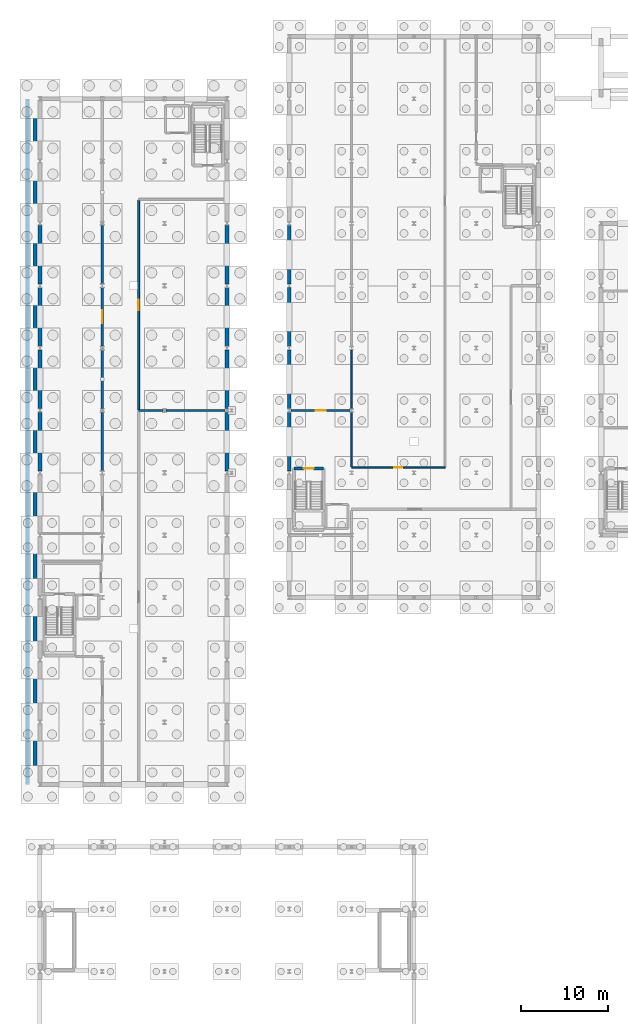
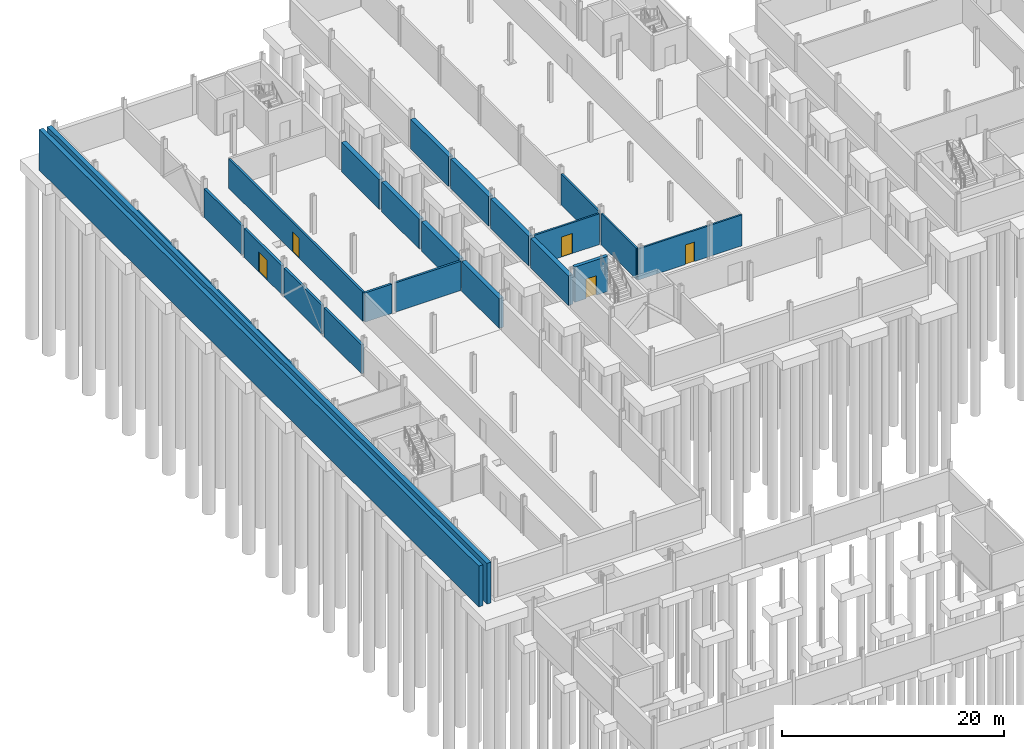
# One storey, part 37 of 50: 26 walls, 5 doors, 5 openings.
"""IFC4 building model written with IfcOpenShell, lengths in metres."""

from ifc_helpers import new_model, si_unit, direction, frame, frame_2d, origin, place, context, subcontext, project, spatial, rectangle, extrude, material, layer, layer_set, type_object, element, fill, save


model = new_model("IFC4")

# Units and contexts
model_context = context("Model", 3, precision=1e-05, world=origin(), true_north=direction((0.0, 1.0)))
body_context = subcontext(model_context, "Body", "Model", "MODEL_VIEW")
ifc_project = project(units=[si_unit("LENGTHUNIT", "METRE"), si_unit("AREAUNIT", "SQUARE_METRE"), si_unit("VOLUMEUNIT", "CUBIC_METRE"), si_unit("PLANEANGLEUNIT", "RADIAN"), si_unit("MASSUNIT", "GRAM", prefix="KILO")], contexts=[model_context])

# Site, building, storey
site_placement = place(None, origin())
site = spatial("IfcSite", under=ifc_project, at=site_placement, CompositionType="ELEMENT")
building_placement = place(site_placement, origin())
building = spatial("IfcBuilding", under=site, at=building_placement, Name="Narikvali Park Central Library", CompositionType="ELEMENT")
storey_placement = place(building_placement, frame((0.0, 0.0, -4.199951171875)))
storey = spatial("IfcBuildingStorey", under=building, at=storey_placement, Name="B1", CompositionType="ELEMENT", Elevation=-4.199951171875)

# Walls
ifc_material_1 = material(Name="Reinforced Masonry Blockwork C30/37", Category="masonry")
ifc_layer_1 = layer(ifc_material_1, 0.219970703125, Name="Reinforced Masonry Blockwork C30/37")
ifc_layer_set_1 = layer_set([ifc_layer_1], Name="Reinforced Masonry Blockwork C30/37")
wall_type_1 = type_object("IfcWallType", Name="Archive Fire-Resisting Partition 220", PredefinedType="SOLIDWALL", material=ifc_layer_set_1)
wall_1_placement = place(storey_placement, frame((11.39990234375, 72.0, 0.0), z_axis=(0.0, 0.0, 1.0), x_axis=(1.0, 0.0, 0.0)))
element("IfcWall", 1, at=wall_1_placement, inside=storey, type_object=wall_type_1, Name="High-Density Compact Mobile Shelving Repository Partition S", PredefinedType="SOLIDWALL", context=body_context, shape_type="SweptSolid", body=[
    extrude(rectangle(XDim=2.7900390625, YDim=0.219970703125, at=frame_2d((1.39501953125, 0.0))), origin(), (0.0, 0.0, 1.0), 3.21484375),
])
wall_2_placement = place(storey_placement, frame((14.610107421875, 72.0, 0.0), z_axis=(0.0, 0.0, 1.0), x_axis=(1.0, 0.0, 0.0)))
element("IfcWall", 2, at=wall_2_placement, inside=storey, type_object=wall_type_1, Name="High-Density Compact Mobile Shelving Repository Partition S", PredefinedType="SOLIDWALL", context=body_context, shape_type="SweptSolid", body=[
    extrude(rectangle(XDim=6.764892578125, YDim=0.219970703125, at=frame_2d((3.38232421875, 0.0))), origin(), (0.0, 0.0, 1.0), 3.21484375),
])

# Wall, opening, door
wall_3_placement = place(storey_placement, frame((11.39990234375, 72.112060546875, 0.0), z_axis=(0.0, 0.0, 1.0), x_axis=(0.0, 1.0, 0.0)))
wall_3 = element("IfcWall", 3, at=wall_3_placement, inside=storey, type_object=wall_type_1, Name="High-Density Compact Mobile Shelving Repository Partition W", PredefinedType="SOLIDWALL", context=body_context, shape_type="SweptSolid", body=[
    extrude(rectangle(XDim=24.176025390625, YDim=0.219970703125, at=frame_2d((12.087890625, 0.0))), origin(), (0.0, 0.0, 1.0), 3.21484375),
])
opening_1_placement = place(wall_3_placement, frame((11.488037109375, 0.0, 0.0)))
opening_1 = element("IfcOpeningElement", 4, at=opening_1_placement, cuts=wall_3, Name="Opening ID-0106", PredefinedType="OPENING", context=body_context, shape_type="SweptSolid", body=[
    extrude(rectangle(XDim=1.199951171875, YDim=2.199951171875, at=frame_2d((0.60009765625, 1.10009765625))), frame((0.0, 0.1220703125, 0.0), z_axis=(0.0, -1.0, 0.0), x_axis=(1.0, 0.0, 0.0)), (0.0, 0.0, 1.0), 0.243896484375),
])
ifc_material_2 = material(Name="Insulated Steel S355 Vault Leaf", Category="steel")
door_type_1 = type_object("IfcDoorType", Name="Archive Vault Heavy Fire Door 1200x2200", OperationType="SINGLE_SWING_LEFT", PredefinedType="DOOR", material=ifc_material_2)
door_1_placement = place(opening_1_placement, frame((1.199951171875, 0.0, 0.0), z_axis=(0.0, 0.0, 1.0), x_axis=(-1.0, 0.0, 0.0)))
door_1 = element("IfcDoor", 5, at=door_1_placement, inside=storey, type_object=door_type_1, Name="High-Density Compact Mobile Shelving Repository Door ID-0106", OperationType="SINGLE_SWING_RIGHT", OverallHeight=2.199951171875, OverallWidth=1.199951171875, PredefinedType="DOOR", context=body_context, shape_type="SweptSolid", body=[
    extrude(rectangle(XDim=1.199951171875, YDim=2.199951171875, at=frame_2d((0.60009765625, 1.10009765625))), frame((0.0, 0.02490234375, 0.0), z_axis=(0.0, -1.0, 0.0), x_axis=(1.0, 0.0, 0.0)), (0.0, 0.0, 1.0), 0.050048828125),
])
fill(opening_1, door_1)

# Walls
ifc_material_3 = material(Name="Concrete C35/45", Category="concrete")
ifc_layer_2 = layer(ifc_material_3, 0.449951171875, Name="Concrete C35/45")
ifc_layer_set_2 = layer_set([ifc_layer_2], Name="Concrete C35/45")
wall_type_2 = type_object("IfcWallType", Name="Basement Perimeter Retaining Wall 450", PredefinedType="USERDEFINED", material=ifc_layer_set_2)
for number, where, z_axis, x_axis, name in (
    (6, (28.800048828125, 64.989990234375, 0.0), (0.0, 0.0, 1.0), (0.0, 1.0, 0.0), "V4 B1 Retaining Wall W"),
    (7, (28.800048828125, 72.18994140625, 0.0), (0.0, 0.0, 1.0), (0.0, 1.0, 0.0), "V4 B1 Retaining Wall W"),
    (8, (28.800048828125, 79.389892578125, 0.0), (0.0, 0.0, 1.0), (0.0, 1.0, 0.0), "V4 B1 Retaining Wall W"),
):
    element("IfcWall", number, at=place(storey_placement, frame(where, z_axis=z_axis, x_axis=x_axis)), inside=storey, type_object=wall_type_2, Name=name, ObjectType="RETAINING WALL", PredefinedType="USERDEFINED", context=body_context, shape_type="SweptSolid", body=[
        extrude(rectangle(XDim=6.820068359375, YDim=0.449951171875, at=frame_2d((3.41015625, 0.0))), origin(), (0.0, 0.0, 1.0), 3.260009765625),
    ])
wall_4_placement = place(storey_placement, frame((28.800048828125, 86.590087890625, 0.0), z_axis=(0.0, 0.0, 1.0), x_axis=(0.0, 1.0, 0.0)))
element("IfcWall", 9, at=wall_4_placement, inside=storey, type_object=wall_type_2, Name="V4 B1 Retaining Wall W", ObjectType="RETAINING WALL", PredefinedType="USERDEFINED", context=body_context, shape_type="SweptSolid", body=[
    extrude(rectangle(XDim=6.81982421875, YDim=0.449951171875, at=frame_2d((3.409912109375, 0.0))), origin(), (0.0, 0.0, 1.0), 3.260009765625),
])
for number, where, z_axis, x_axis, name in (
    (10, (0.0, 65.008056640625, 0.0), (0.0, 0.0, 1.0), (0.0, 1.0, 0.0), "V5 B1 Retaining Wall W"),
    (11, (21.60009765625, 65.008056640625, 0.0), (0.0, 0.0, 1.0), (0.0, 1.0, 0.0), "V5 B1 Retaining Wall E"),
    (12, (0.0, 72.2080078125, 0.0), (0.0, 0.0, 1.0), (0.0, 1.0, 0.0), "V5 B1 Retaining Wall W"),
    (13, (21.60009765625, 72.2080078125, 0.0), (0.0, 0.0, 1.0), (0.0, 1.0, 0.0), "V5 B1 Retaining Wall E"),
    (14, (0.0, 79.407958984375, 0.0), (0.0, 0.0, 1.0), (0.0, 1.0, 0.0), "V5 B1 Retaining Wall W"),
    (15, (21.60009765625, 79.407958984375, 0.0), (0.0, 0.0, 1.0), (0.0, 1.0, 0.0), "V5 B1 Retaining Wall E"),
):
    element("IfcWall", number, at=place(storey_placement, frame(where, z_axis=z_axis, x_axis=x_axis)), inside=storey, type_object=wall_type_2, Name=name, ObjectType="RETAINING WALL", PredefinedType="USERDEFINED", context=body_context, shape_type="SweptSolid", body=[
        extrude(rectangle(XDim=6.783935546875, YDim=0.449951171875, at=frame_2d((3.39208984375, 0.0))), origin(), (0.0, 0.0, 1.0), 3.260009765625),
    ])
for number, where, z_axis, x_axis, name in (
    (16, (0.0, 86.60791015625, 0.0), (0.0, 0.0, 1.0), (0.0, 1.0, 0.0), "V5 B1 Retaining Wall W"),
    (17, (21.60009765625, 86.60791015625, 0.0), (0.0, 0.0, 1.0), (0.0, 1.0, 0.0), "V5 B1 Retaining Wall E"),
):
    element("IfcWall", number, at=place(storey_placement, frame(where, z_axis=z_axis, x_axis=x_axis)), inside=storey, type_object=wall_type_2, Name=name, ObjectType="RETAINING WALL", PredefinedType="USERDEFINED", context=body_context, shape_type="SweptSolid", body=[
        extrude(rectangle(XDim=6.7841796875, YDim=0.449951171875, at=frame_2d((3.39208984375, 0.0))), origin(), (0.0, 0.0, 1.0), 3.260009765625),
    ])
for number, where, z_axis, x_axis, name in (
    (18, (-1.419921875, 28.800048828125, -0.60009765625), (0.0, 0.0, 1.0), (0.0, 1.0, 0.0), "West Stacks Fin Continuous Substructure Wall 1"),
    (19, (-0.580078125, 28.800048828125, -0.60009765625), (0.0, 0.0, 1.0), (0.0, 1.0, 0.0), "West Stacks Fin Continuous Substructure Wall 2"),
):
    element("IfcWall", number, at=place(storey_placement, frame(where, z_axis=z_axis, x_axis=x_axis)), inside=storey, type_object=wall_type_2, Name=name, ObjectType="RETAINING WALL", PredefinedType="USERDEFINED", context=body_context, shape_type="SweptSolid", body=[
        extrude(rectangle(XDim=79.199951171875, YDim=0.449951171875, at=frame_2d((39.60009765625, 0.0))), origin(), (0.0, 0.0, 1.0), 4.47998046875),
    ])

# Wall, opening, door
ifc_material_4 = material(Name="Cleanroom Gypsum on Steel Studs", Category="steel")
ifc_layer_3 = layer(ifc_material_4, 0.18994140625, Name="Cleanroom Gypsum on Steel Studs")
ifc_layer_set_3 = layer_set([ifc_layer_3], Name="Cleanroom Gypsum on Steel Studs")
wall_type_3 = type_object("IfcWallType", Name="Conservation Lab Partition Wall 190", PredefinedType="PARTITIONING", material=ifc_layer_set_3)
wall_5_placement = place(storey_placement, frame((29.02490234375, 72.0, 0.0), z_axis=(0.0, 0.0, 1.0), x_axis=(1.0, 0.0, 0.0)))
wall_5 = element("IfcWall", 20, at=wall_5_placement, inside=storey, type_object=wall_type_3, Name="Manuscript Digitisation Laboratory Partition S", PredefinedType="PARTITIONING", context=body_context, shape_type="SweptSolid", body=[
    extrude(rectangle(XDim=6.781982421875, YDim=0.18994140625, at=frame_2d((3.39111328125, 0.0))), origin(), (0.0, 0.0, 1.0), 3.375),
])
opening_2_placement = place(wall_5_placement, frame((2.81591796875, 0.0, 0.0)))
opening_2 = element("IfcOpeningElement", 21, at=opening_2_placement, cuts=wall_5, Name="Opening ID-0076", PredefinedType="OPENING", context=body_context, shape_type="SweptSolid", body=[
    extrude(rectangle(XDim=1.14990234375, YDim=2.199951171875, at=frame_2d((0.574951171875, 1.10009765625))), frame((0.0, 0.10693359375, 0.0), z_axis=(0.0, -1.0, 0.0), x_axis=(1.0, 0.0, 0.0)), (0.0, 0.0, 1.0), 0.2138671875),
])
ifc_material_5 = material(Name="Powder-Coated Steel S275", Category="steel")
door_type_2 = type_object("IfcDoorType", Name="Conservation Lab Clean Door 1150x2200", OperationType="SINGLE_SWING_RIGHT", PredefinedType="DOOR", material=ifc_material_5)
door_2_placement = place(opening_2_placement, origin())
door_2 = element("IfcDoor", 22, at=door_2_placement, inside=storey, type_object=door_type_2, Name="Manuscript Digitisation Laboratory Door ID-0076", OperationType="SINGLE_SWING_RIGHT", OverallHeight=2.199951171875, OverallWidth=1.14990234375, PredefinedType="DOOR", context=body_context, shape_type="SweptSolid", body=[
    extrude(rectangle(XDim=1.14990234375, YDim=2.199951171875, at=frame_2d((0.574951171875, 1.10009765625))), frame((0.0, 0.02490234375, 0.0), z_axis=(0.0, -1.0, 0.0), x_axis=(1.0, 0.0, 0.0)), (0.0, 0.0, 1.0), 0.050048828125),
])
fill(opening_2, door_2)

# Walls
wall_6_placement = place(storey_placement, frame((36.0, 72.197509765625, 0.0), z_axis=(0.0, 0.0, 1.0), x_axis=(0.0, 1.0, 0.0)))
element("IfcWall", 23, at=wall_6_placement, inside=storey, type_object=wall_type_3, Name="Manuscript Digitisation Laboratory Partition E", PredefinedType="PARTITIONING", context=body_context, shape_type="SweptSolid", body=[
    extrude(rectangle(XDim=6.804931640625, YDim=0.18994140625, at=frame_2d((3.40234375, 0.0))), origin(), (0.0, 0.0, 1.0), 3.425048828125),
])
ifc_material_6 = material(Name="Concrete Blockwork C30/37", Category="masonry")
ifc_layer_4 = layer(ifc_material_6, 0.25, Name="Concrete Blockwork C30/37")
ifc_layer_set_4 = layer_set([ifc_layer_4], Name="Concrete Blockwork C30/37")
wall_type_4 = type_object("IfcWallType", Name="Plant Room Acoustic Fire Wall 250", PredefinedType="SOLIDWALL", material=ifc_layer_set_4)
for number, where, z_axis, x_axis, name in (
    (24, (7.199951171875, 65.021484375, 0.0), (0.0, 0.0, 1.0), (0.0, 1.0, 0.0), "Archive Precision Climate Plant Room Partition E"),
    (25, (7.199951171875, 72.221435546875, 0.0), (0.0, 0.0, 1.0), (0.0, 1.0, 0.0), "Archive Precision Climate Plant Room Partition E"),
):
    element("IfcWall", number, at=place(storey_placement, frame(where, z_axis=z_axis, x_axis=x_axis)), inside=storey, type_object=wall_type_4, Name=name, PredefinedType="SOLIDWALL", context=body_context, shape_type="SweptSolid", body=[
        extrude(rectangle(XDim=6.757080078125, YDim=0.25, at=frame_2d((3.37841796875, 0.0))), origin(), (0.0, 0.0, 1.0), 3.175048828125),
    ])

# Wall, opening, door
wall_7_placement = place(storey_placement, frame((7.199951171875, 79.42138671875, 0.0), z_axis=(0.0, 0.0, 1.0), x_axis=(0.0, 1.0, 0.0)))
wall_7 = element("IfcWall", 26, at=wall_7_placement, inside=storey, type_object=wall_type_4, Name="Archive Precision Climate Plant Room Partition E", PredefinedType="SOLIDWALL", context=body_context, shape_type="SweptSolid", body=[
    extrude(rectangle(XDim=6.757080078125, YDim=0.25, at=frame_2d((3.37841796875, 0.0))), origin(), (0.0, 0.0, 1.0), 3.175048828125),
])
opening_3_placement = place(wall_7_placement, frame((2.62841796875, 0.0, 0.0)))
opening_3 = element("IfcOpeningElement", 27, at=opening_3_placement, cuts=wall_7, Name="Opening ID-0108", PredefinedType="OPENING", context=body_context, shape_type="SweptSolid", body=[
    extrude(rectangle(XDim=1.5, YDim=2.199951171875, at=frame_2d((0.75, 1.10009765625))), frame((0.0, 0.136962890625, 0.0), z_axis=(0.0, -1.0, 0.0), x_axis=(1.0, 0.0, 0.0)), (0.0, 0.0, 1.0), 0.27392578125),
])
ifc_material_7 = material(Name="Galvanised Steel S275 Louvred Fire Leaf", Category="steel")
door_type_3 = type_object("IfcDoorType", Name="Plant Room Double Steel Fire Door 1500x2200", OperationType="DOUBLE_DOOR_SINGLE_SWING", PredefinedType="DOOR", material=ifc_material_7)
door_3_placement = place(opening_3_placement, frame((1.5, 0.0, 0.0), z_axis=(0.0, 0.0, 1.0), x_axis=(-1.0, 0.0, 0.0)))
door_3 = element("IfcDoor", 28, at=door_3_placement, inside=storey, type_object=door_type_3, Name="Archive Precision Climate Plant Room Door ID-0108", OperationType="DOUBLE_DOOR_SINGLE_SWING", OverallHeight=2.199951171875, OverallWidth=1.5, PredefinedType="DOOR", context=body_context, shape_type="SweptSolid", body=[
    extrude(rectangle(XDim=1.5, YDim=2.199951171875, at=frame_2d((0.75, 1.10009765625))), frame((0.0, 0.02490234375, 0.0), z_axis=(0.0, -1.0, 0.0), x_axis=(1.0, 0.0, 0.0)), (0.0, 0.0, 1.0), 0.050048828125),
])
fill(opening_3, door_3)

# Wall
wall_8_placement = place(storey_placement, frame((7.199951171875, 86.62158203125, 0.0), z_axis=(0.0, 0.0, 1.0), x_axis=(0.0, 1.0, 0.0)))
element("IfcWall", 29, at=wall_8_placement, inside=storey, type_object=wall_type_4, Name="Archive Precision Climate Plant Room Partition E", PredefinedType="SOLIDWALL", context=body_context, shape_type="SweptSolid", body=[
    extrude(rectangle(XDim=6.7568359375, YDim=0.25, at=frame_2d((3.37841796875, 0.0))), origin(), (0.0, 0.0, 1.0), 3.175048828125),
])

# Wall, opening, door
ifc_material_8 = material(Name="Acoustic Gypsum on Steel Studs", Category="steel")
ifc_layer_5 = layer(ifc_material_8, 0.179931640625, Name="Acoustic Gypsum on Steel Studs")
ifc_layer_set_5 = layer_set([ifc_layer_5], Name="Acoustic Gypsum on Steel Studs")
wall_type_5 = type_object("IfcWallType", Name="Reading Room Acoustic Partition 180", PredefinedType="PARTITIONING", material=ifc_layer_set_5)
wall_9_placement = place(storey_placement, frame((36.0, 65.39990234375, 0.0), z_axis=(0.0, 0.0, 1.0), x_axis=(1.0, 0.0, 0.0)))
wall_9 = element("IfcWall", 30, at=wall_9_placement, inside=storey, type_object=wall_type_5, Name="Automated Book Sorting and Cataloguing Room Partition S", PredefinedType="PARTITIONING", context=body_context, shape_type="SweptSolid", body=[
    extrude(rectangle(XDim=10.800048828125, YDim=0.179931640625, at=frame_2d((5.39990234375, 0.0))), origin(), (0.0, 0.0, 1.0), 3.4150390625),
])
opening_4_placement = place(wall_9_placement, frame((4.925048828125, 0.0, 0.0)))
opening_4 = element("IfcOpeningElement", 31, at=opening_4_placement, cuts=wall_9, Name="Opening ID-0080", PredefinedType="OPENING", context=body_context, shape_type="SweptSolid", body=[
    extrude(rectangle(XDim=0.949951171875, YDim=2.14990234375, at=frame_2d((0.47509765625, 1.074951171875))), frame((0.0, 0.10205078125, 0.0), z_axis=(0.0, -1.0, 0.0), x_axis=(1.0, 0.0, 0.0)), (0.0, 0.0, 1.0), 0.203857421875),
])
ifc_material_9 = material(Name="Solid Caucasian Oak")
door_type_4 = type_object("IfcDoorType", Name="Staff Cataloguing Office Door 950x2150", OperationType="SINGLE_SWING_LEFT", PredefinedType="DOOR", material=ifc_material_9)
door_4_placement = place(opening_4_placement, origin())
door_4 = element("IfcDoor", 32, at=door_4_placement, inside=storey, type_object=door_type_4, Name="Automated Book Sorting and Cataloguing Room Door ID-0080", OperationType="SINGLE_SWING_RIGHT", OverallHeight=2.14990234375, OverallWidth=0.949951171875, PredefinedType="DOOR", context=body_context, shape_type="SweptSolid", body=[
    extrude(rectangle(XDim=0.949951171875, YDim=2.14990234375, at=frame_2d((0.47509765625, 1.074951171875))), frame((0.0, 0.02490234375, 0.0), z_axis=(0.0, -1.0, 0.0), x_axis=(1.0, 0.0, 0.0)), (0.0, 0.0, 1.0), 0.050048828125),
])
fill(opening_4, door_4)

# Wall
wall_10_placement = place(storey_placement, frame((36.0, 65.491943359375, 0.0), z_axis=(0.0, 0.0, 1.0), x_axis=(0.0, 1.0, 0.0)))
element("IfcWall", 33, at=wall_10_placement, inside=storey, type_object=wall_type_5, Name="Automated Book Sorting and Cataloguing Room Partition W", PredefinedType="PARTITIONING", context=body_context, shape_type="SweptSolid", body=[
    extrude(rectangle(XDim=6.310546875, YDim=0.179931640625, at=frame_2d((3.1552734375, 0.0))), origin(), (0.0, 0.0, 1.0), 3.425048828125),
])

# Wall, opening, door
ifc_material_10 = material(Name="Concrete C40/50", Category="concrete")
ifc_layer_6 = layer(ifc_material_10, 0.35009765625, Name="Concrete C40/50")
ifc_layer_set_6 = layer_set([ifc_layer_6], Name="Concrete C40/50")
wall_type_6 = type_object("IfcWallType", Name="Reinforced Concrete Core Shear Wall 350", PredefinedType="SHEAR", material=ifc_layer_set_6)
wall_11_placement = place(storey_placement, frame((32.77001953125, 65.320068359375, 0.0), z_axis=(0.0, 0.0, 1.0), x_axis=(-1.0, 0.0, 0.0)))
wall_11 = element("IfcWall", 34, at=wall_11_placement, inside=storey, type_object=wall_type_6, Name="C4A B1 Stair Core Shear Wall N", PredefinedType="SHEAR", context=body_context, shape_type="SweptSolid", body=[
    extrude(rectangle(XDim=3.43994140625, YDim=0.35009765625, at=frame_2d((1.719970703125, 0.0))), origin(), (0.0, 0.0, 1.0), 3.8798828125),
])
opening_5_placement = place(wall_11_placement, frame((1.169921875, 0.0, 0.0)))
opening_5 = element("IfcOpeningElement", 35, at=opening_5_placement, cuts=wall_11, Name="Opening SD-024", PredefinedType="OPENING", context=body_context, shape_type="SweptSolid", body=[
    extrude(rectangle(XDim=1.10009765625, YDim=2.14990234375, at=frame_2d((0.550048828125, 1.074951171875))), frame((0.0, 0.18701171875, 0.0), z_axis=(0.0, -1.0, 0.0), x_axis=(1.0, 0.0, 0.0)), (0.0, 0.0, 1.0), 0.3740234375),
])
ifc_material_11 = material(Name="Powder-Coated Steel S275 Fire Leaf", Category="steel")
door_type_5 = type_object("IfcDoorType", Name="Stair Core Smoke-Control Fire Door 1100x2150", OperationType="SINGLE_SWING_LEFT", PredefinedType="DOOR", material=ifc_material_11)
door_5_placement = place(opening_5_placement, frame((1.10009765625, 0.0, 0.0), z_axis=(0.0, 0.0, 1.0), x_axis=(-1.0, 0.0, 0.0)))
door_5 = element("IfcDoor", 36, at=door_5_placement, inside=storey, type_object=door_type_5, Name="ST-07 B1 Stair Exit Door SD-024", OperationType="SINGLE_SWING_RIGHT", OverallHeight=2.14990234375, OverallWidth=1.10009765625, PredefinedType="DOOR", context=body_context, shape_type="SweptSolid", body=[
    extrude(rectangle(XDim=1.10009765625, YDim=2.14990234375, at=frame_2d((0.550048828125, 1.074951171875))), frame((0.0, 0.02490234375, 0.0), z_axis=(0.0, -1.0, 0.0), x_axis=(1.0, 0.0, 0.0)), (0.0, 0.0, 1.0), 0.050048828125),
])
fill(opening_5, door_5)

save(model, "model.ifc")
